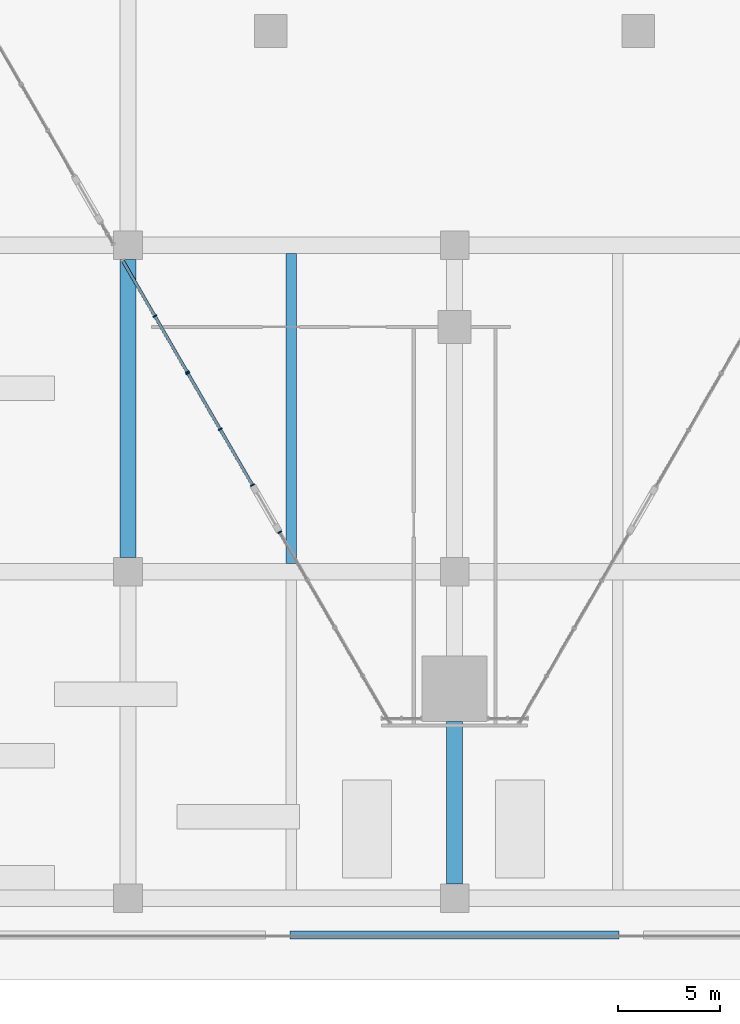
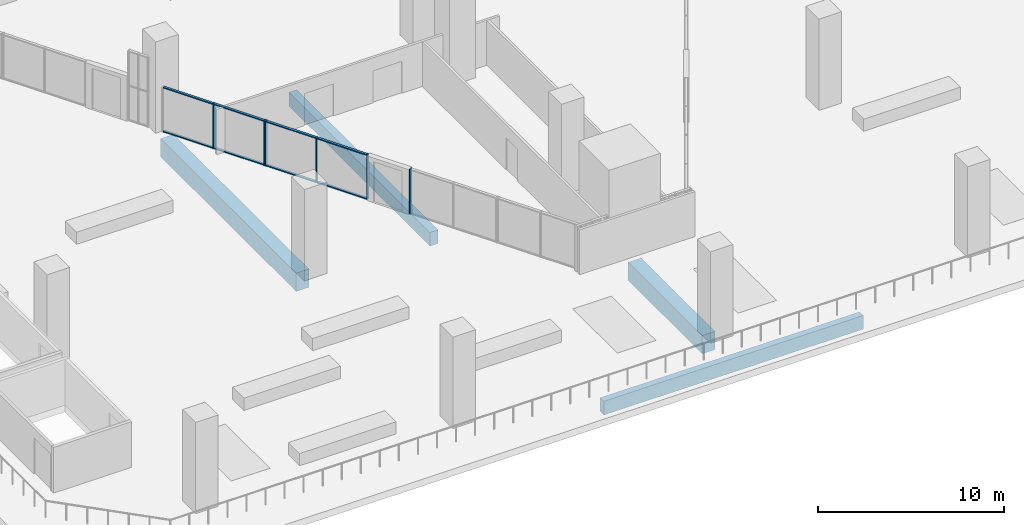
# One storey, part 2 of 25: 14 members, 4 beams, 3 elements without a shape of their own.
"""IFC4 building model written with IfcOpenShell, lengths in metres."""

import ifcopenshell
import ifcopenshell.guid

model = None  # the IFC model being written
_history = None  # IfcOwnerHistory: only IFC2X3 demands one
_inside = {}  # id of a spatial element -> (the spatial element, [elements in it])
_under = {}  # id of a project, library or spatial element -> (it, [spatial elements below it])
_declared = {}  # id of a project -> (the project, [libraries it declares])
_typed = {}  # id of a type object -> (the type object, [elements of that type])
_made_of = {}  # id of a material, layer set ... -> (it, [elements and type objects made of it])


def new_model(schema):
    """Start an empty IFC model of exactly this schema.

    Asked for "IFC4X3", IfcOpenShell would pick the latest addendum, in which some entities
    have other attributes; the version numbers below select the first issue.
    IFC2X3 requires an IfcOwnerHistory on every rooted entity: one is made here for all.
    """
    global model, _history
    if schema == "IFC4X3":
        model = ifcopenshell.file(schema_version=(4, 3, 0, 0))
    else:
        model = ifcopenshell.file(schema=schema)
    _inside.clear()
    _under.clear()
    _declared.clear()
    _typed.clear()
    _made_of.clear()
    _history = None
    if model.schema == "IFC2X3":
        org = make("IfcOrganization", Name="unknown")
        user = make(
            "IfcPersonAndOrganization",
            ThePerson=make("IfcPerson", FamilyName="unknown"),
            TheOrganization=org,
        )
        app = make(
            "IfcApplication",
            ApplicationDeveloper=org,
            Version="unknown",
            ApplicationFullName="unknown",
            ApplicationIdentifier="unknown",
        )
        _history = make(
            "IfcOwnerHistory",
            OwningUser=user,
            OwningApplication=app,
            ChangeAction="ADDED",
            CreationDate=0,
        )
    return model


def make(cls, **values):
    """One entity of the class cls with the attributes given. An attribute that is None is left unset."""
    return model.create_entity(
        cls, **{name: value for name, value in values.items() if value is not None}
    )


def rooted(cls, **values):
    """An entity with a GlobalId (a new one), such as an element, a storey or a relation."""
    return make(cls, GlobalId=ifcopenshell.guid.new(), OwnerHistory=_history, **values)


def si_unit(unit_type, name, prefix=None):
    """IfcSIUnit, for example si_unit("LENGTHUNIT", "METRE", prefix="MILLI")."""
    return make("IfcSIUnit", UnitType=unit_type, Prefix=prefix, Name=name)


def assignment(units):
    """IfcUnitAssignment: the units of a project."""
    return None if units is None else make("IfcUnitAssignment", Units=units)


def point(xyz):
    """IfcCartesianPoint."""
    return None if xyz is None else make("IfcCartesianPoint", Coordinates=xyz)


def direction(xyz):
    """IfcDirection."""
    return None if xyz is None else make("IfcDirection", DirectionRatios=xyz)


def frame(location, z_axis=None, x_axis=None):
    """IfcAxis2Placement3D, a coordinate frame: its origin and axes. An axis left out is left unset."""
    return make(
        "IfcAxis2Placement3D",
        Location=point(location),
        Axis=direction(z_axis),
        RefDirection=direction(x_axis),
    )


def frame_2d(location, x_axis=None):
    """IfcAxis2Placement2D, a coordinate frame in the plane: its origin and x axis."""
    return make(
        "IfcAxis2Placement2D", Location=point(location), RefDirection=direction(x_axis)
    )


def origin():
    """The frame at (0, 0, 0) with its axes left unset."""
    return frame((0.0, 0.0, 0.0))


def origin_2d():
    """The frame at (0, 0) in the plane with its x axis left unset."""
    return frame_2d((0.0, 0.0))


def place(relative_to, where):
    """IfcLocalPlacement: puts the frame where relative to a parent placement (None: the world)."""
    return make(
        "IfcLocalPlacement", PlacementRelTo=relative_to, RelativePlacement=where
    )


def context(
    kind, dimensions, precision=None, world=None, true_north=None, identifier=None
):
    """IfcGeometricRepresentationContext, for example the 3D "Model" context."""
    return make(
        "IfcGeometricRepresentationContext",
        ContextIdentifier=identifier,
        ContextType=kind,
        CoordinateSpaceDimension=dimensions,
        Precision=precision,
        WorldCoordinateSystem=world,
        TrueNorth=true_north,
    )


def subcontext(parent, identifier, kind, view, scale=None):
    """IfcGeometricRepresentationSubContext, for example "Body" below "Model"."""
    return make(
        "IfcGeometricRepresentationSubContext",
        ContextIdentifier=identifier,
        ContextType=kind,
        ParentContext=parent,
        TargetScale=scale,
        TargetView=view,
    )


def project(units=None, contexts=None):
    """IfcProject with its units and contexts."""
    return rooted(
        "IfcProject",
        Name="project",
        RepresentationContexts=contexts,
        UnitsInContext=assignment(units),
    )


def spatial(cls, under=None, at=None, **own):
    """A site, building, storey or space (cls), placed at a placement, below another one or the project."""
    s = rooted(cls, ObjectPlacement=at, **own)
    if under is not None:
        _under.setdefault(under.id(), (under, []))[1].append(s)
    return s


def profile(cls, at=None, kind="AREA", **sizes):
    """A parametric profile (cls). Its sizes go by their IFC names, for example OverallWidth=200.0."""
    return make(cls, ProfileType=kind, Position=at, **sizes)


def rectangle(**sizes):
    """IfcRectangleProfileDef."""
    return profile("IfcRectangleProfileDef", **sizes)


def extrude(swept, where, along, depth):
    """IfcExtrudedAreaSolid: the profile swept, set in the frame where, extruded along a direction by depth."""
    return make(
        "IfcExtrudedAreaSolid",
        SweptArea=swept,
        Position=where,
        ExtrudedDirection=direction(along),
        Depth=depth,
    )


def shape(context_of_items, identifier, shape_type, items):
    """IfcShapeRepresentation: the items that make up one representation, for example the "Body"."""
    return make(
        "IfcShapeRepresentation",
        ContextOfItems=context_of_items,
        RepresentationIdentifier=identifier,
        RepresentationType=shape_type,
        Items=items,
    )


def material(Name=None, Category=None):
    """IfcMaterial."""
    return make("IfcMaterial", Name=Name, Category=Category)


def material_profile(
    of_material, cross_section, Name=None, Category=None, Priority=None
):
    """IfcMaterialProfile: a cross section and its material."""
    return make(
        "IfcMaterialProfile",
        Name=Name,
        Material=of_material,
        Profile=cross_section,
        Priority=Priority,
        Category=Category,
    )


def profile_set(profiles, Name=None, composite=None):
    """IfcMaterialProfileSet."""
    return make(
        "IfcMaterialProfileSet",
        Name=Name,
        MaterialProfiles=profiles,
        CompositeProfile=composite,
    )


def made_of(thing, what):
    """Note that an element or type object is made of a material, layer set ...; save() writes the relation."""
    if what is not None:
        _made_of.setdefault(what.id(), (what, []))[1].append(thing)
    return thing


def type_object(cls, material=None, **own):
    """A type object (cls), such as IfcWallType, which elements share."""
    return made_of(rooted(cls, **own), material)


def element(
    cls,
    number,
    at=None,
    inside=None,
    cuts=None,
    type_object=None,
    material=None,
    context=None,
    identifier="Body",
    shape_type=None,
    held_by="IfcProductDefinitionShape",
    body=None,
    shapes=None,
    **own,
):
    """One element of the class cls, such as IfcWall. Its Tag is "e" and its number.

    at: its placement. inside: the storey or other place that contains it. cuts: it is an
    opening in that element (IfcRelVoidsElement). A single representation is given by context,
    identifier, shape_type and body (its items); several are given by shapes. held_by: the class
    of the entity that holds the representations. save() writes the other relations.
    """
    e = rooted(cls, Tag="e%d" % number, ObjectPlacement=at, **own)
    if body is not None:
        shapes = [shape(context, identifier, shape_type, body)]
    if shapes is not None:
        e.Representation = make(held_by, Representations=shapes)
    if inside is not None:
        _inside.setdefault(inside.id(), (inside, []))[1].append(e)
    if cuts is not None:
        rooted(
            "IfcRelVoidsElement", RelatingBuildingElement=cuts, RelatedOpeningElement=e
        )
    if type_object is not None:
        _typed.setdefault(type_object.id(), (type_object, []))[1].append(e)
    return made_of(e, material)


def aggregate(whole, parts):
    """IfcRelAggregates: a whole, such as a stair, and the parts it consists of."""
    return rooted("IfcRelAggregates", RelatingObject=whole, RelatedObjects=parts)


def save(model, path):
    """Write the relations noted so far, then the file.

    IfcRelAggregates (storeys below a building ...), IfcRelContainedInSpatialStructure (elements
    in a storey), IfcRelDefinesByType, IfcRelAssociatesMaterial and IfcRelDeclares: one each for
    every whole, place, type object, material and project.
    """
    for whole, parts in _under.values():
        aggregate(whole, parts)
    for where, things in _inside.values():
        rooted(
            "IfcRelContainedInSpatialStructure",
            RelatedElements=things,
            RelatingStructure=where,
        )
    for kind, things in _typed.values():
        rooted("IfcRelDefinesByType", RelatedObjects=things, RelatingType=kind)
    for what, things in _made_of.values():
        rooted("IfcRelAssociatesMaterial", RelatedObjects=things, RelatingMaterial=what)
    for by, libraries in _declared.values():
        rooted("IfcRelDeclares", RelatingContext=by, RelatedDefinitions=libraries)
    model.write(path)


model = new_model("IFC4")

# Units and contexts
model_context = context("Model", 3, precision=1e-05, world=origin(), true_north=direction((0.0, 1.0)))
body_context = subcontext(model_context, "Body", "Model", "MODEL_VIEW")
ifc_project = project(units=[si_unit("LENGTHUNIT", "METRE"), si_unit("AREAUNIT", "SQUARE_METRE"), si_unit("VOLUMEUNIT", "CUBIC_METRE"), si_unit("PLANEANGLEUNIT", "RADIAN"), si_unit("MASSUNIT", "GRAM", prefix="KILO")], contexts=[model_context])

# Site, building, storey
site_placement = place(None, origin())
site = spatial("IfcSite", under=ifc_project, at=site_placement, CompositionType="ELEMENT")
building_placement = place(site_placement, origin())
building = spatial("IfcBuilding", under=site, at=building_placement, Name="Calabash Gate Tower", CompositionType="ELEMENT")
storey_placement = place(building_placement, frame((0.0, 0.0, 40.0)))
storey = spatial("IfcBuildingStorey", under=building, at=storey_placement, Name="L05", CompositionType="ELEMENT", Elevation=40.0)

# Beams
ifc_material_1 = material(Name="Concrete C50/60", Category="concrete")
ifc_material_profile_1 = material_profile(ifc_material_1, rectangle(XDim=0.39990234375, YDim=0.89990234375, at=origin_2d()))
ifc_profile_set_1 = profile_set([ifc_material_profile_1], Name="Concrete C50/60")
beam_type_1 = type_object("IfcBeamType", Name="Edge beam RC 400x900 Concrete C50/60", PredefinedType="BEAM", material=ifc_profile_set_1)
beam_1_placement = place(storey_placement, frame((8.06689453125, -41.800048828125, -0.89990234375), z_axis=(-1.0, 0.0, 0.0), x_axis=(0.0, -1.0, 0.0)))
element("IfcBeam", 1, at=beam_1_placement, inside=storey, type_object=beam_type_1, Name="Edge beam L05 29", PredefinedType="BEAM", context=body_context, shape_type="SweptSolid", body=[
    extrude(rectangle(XDim=0.39990234375, YDim=0.89990234375, at=origin_2d()), origin(), (0.0, 0.0, 1.0), 16.1337890625),
])
ifc_material_2 = material(Name="Concrete C50/60", Category="concrete")
ifc_material_profile_2 = material_profile(ifc_material_2, rectangle(XDim=0.5, YDim=0.89990234375, at=origin_2d()))
ifc_profile_set_2 = profile_set([ifc_material_profile_2], Name="Concrete C50/60")
beam_type_2 = type_object("IfcBeamType", Name="Floor beam RC 500x900 Concrete C50/60", PredefinedType="BEAM", material=ifc_profile_set_2)
beam_2_placement = place(storey_placement, frame((-8.0, -23.60009765625, -0.89990234375), z_axis=(0.0, 1.0, 0.0), x_axis=(-1.0, 0.0, 0.0)))
element("IfcBeam", 2, at=beam_2_placement, inside=storey, type_object=beam_type_2, Name="Floor beam L05 7", PredefinedType="BEAM", context=body_context, shape_type="SweptSolid", body=[
    extrude(rectangle(XDim=0.5, YDim=0.89990234375, at=origin_2d()), origin(), (0.0, 0.0, 1.0), 15.2001953125),
])
ifc_material_3 = material(Name="Concrete C50/60", Category="concrete")
ifc_material_profile_3 = material_profile(ifc_material_3, rectangle(XDim=0.800048828125, YDim=1.199951171875, at=origin_2d()))
ifc_profile_set_3 = profile_set([ifc_material_profile_3], Name="Concrete C50/60")
beam_type_3 = type_object("IfcBeamType", Name="Grid girder RC 800x1200 Concrete C50/60", PredefinedType="BEAM", material=ifc_profile_set_3)
beam_3_placement = place(storey_placement, frame((-16.0, -23.300048828125, -1.050048828125), z_axis=(0.0, 1.0, 0.0), x_axis=(-1.0, 0.0, 0.0)))
element("IfcBeam", 3, at=beam_3_placement, inside=storey, type_object=beam_type_3, Name="Grid girder L05 6", PredefinedType="BEAM", context=body_context, shape_type="SweptSolid", body=[
    extrude(rectangle(XDim=0.800048828125, YDim=1.199951171875, at=origin_2d()), origin(), (0.0, 0.0, 1.0), 14.60009765625),
])
beam_4_placement = place(storey_placement, frame((0.0, -39.300048828125, -1.050048828125), z_axis=(0.0, 1.0, 0.0), x_axis=(-1.0, 0.0, 0.0)))
element("IfcBeam", 4, at=beam_4_placement, inside=storey, type_object=beam_type_3, Name="Grid girder L05 9", PredefinedType="BEAM", context=body_context, shape_type="SweptSolid", body=[
    extrude(rectangle(XDim=0.800048828125, YDim=1.199951171875, at=origin_2d()), origin(), (0.0, 0.0, 1.0), 7.967041015625),
])

# Curtain wall, members
ifc_material_4 = material(Name="Anodised aluminium frame, bronze finish, clear laminated impact-rated glazing", Category="aluminium")
curtain_wall_type = type_object("IfcCurtainWallType", Name="Curtain wall CWF podium shopfront", PredefinedType="NOTDEFINED", material=ifc_material_4)
curtain_wall_1_placement = place(storey_placement, origin())
curtain_wall_1 = element("IfcCurtainWall", 5, at=curtain_wall_1_placement, inside=storey, type_object=curtain_wall_type, Name="Curtain wall CWF L05 lobby 0.2.0", PredefinedType="NOTDEFINED")
ifc_material_5 = material(Name="Anodised aluminium frame, bronze finish", Category="aluminium")
ifc_material_profile_4 = material_profile(ifc_material_5, rectangle(XDim=0.199951171875, YDim=0.06494140625, at=origin_2d()))
ifc_profile_set_4 = profile_set([ifc_material_profile_4], Name="Anodised aluminium frame, bronze finish")
member_type_1 = type_object("IfcMemberType", Name="Mullion CWF 65x200", PredefinedType="MULLION", material=ifc_profile_set_4)
member_1_placement = place(storey_placement, frame((-14.684326171875, -11.47119140625, 0.0), z_axis=(0.0, 0.0, 1.0), x_axis=(0.866025353039, 0.500000087894, 0.0)))
member_1 = element("IfcMember", 6, at=member_1_placement, type_object=member_type_1, Name="CWF mullion 2", PredefinedType="MULLION", context=body_context, shape_type="SweptSolid", body=[
    extrude(rectangle(XDim=0.199951171875, YDim=0.06494140625, at=origin_2d()), origin(), (0.0, 0.0, 1.0), 2.949951171875),
])
member_2_placement = place(storey_placement, frame((-13.1015625, -14.21240234375, 0.0), z_axis=(0.0, 0.0, 1.0), x_axis=(0.866025353039, 0.500000087894, 0.0)))
member_2 = element("IfcMember", 7, at=member_2_placement, type_object=member_type_1, Name="CWF mullion 3", PredefinedType="MULLION", context=body_context, shape_type="SweptSolid", body=[
    extrude(rectangle(XDim=0.199951171875, YDim=0.06494140625, at=origin_2d()), origin(), (0.0, 0.0, 1.0), 2.949951171875),
])

curtain_wall_2_placement = place(storey_placement, origin())
curtain_wall_2 = element("IfcCurtainWall", 8, at=curtain_wall_2_placement, inside=storey, type_object=curtain_wall_type, Name="Curtain wall CWF L05 lobby 0.2.1", PredefinedType="NOTDEFINED")
member_3_placement = place(storey_placement, frame((-13.069091796875, -14.268798828125, 0.0), z_axis=(0.0, 0.0, 1.0), x_axis=(0.866025420749, 0.499999970616, 0.0)))
member_3 = element("IfcMember", 9, at=member_3_placement, type_object=member_type_1, Name="CWF mullion 1", PredefinedType="MULLION", context=body_context, shape_type="SweptSolid", body=[
    extrude(rectangle(XDim=0.199951171875, YDim=0.06494140625, at=origin_2d()), origin(), (0.0, 0.0, 1.0), 2.949951171875),
])
member_4_placement = place(storey_placement, frame((-11.486572265625, -17.009765625, 0.0), z_axis=(0.0, 0.0, 1.0), x_axis=(0.866025420749, 0.499999970616, 0.0)))
member_4 = element("IfcMember", 10, at=member_4_placement, type_object=member_type_1, Name="CWF mullion 2", PredefinedType="MULLION", context=body_context, shape_type="SweptSolid", body=[
    extrude(rectangle(XDim=0.199951171875, YDim=0.06494140625, at=origin_2d()), origin(), (0.0, 0.0, 1.0), 2.949951171875),
])
member_5_placement = place(storey_placement, frame((-9.904052734375, -19.7509765625, 0.0), z_axis=(0.0, 0.0, 1.0), x_axis=(0.866025420749, 0.499999970616, 0.0)))
member_5 = element("IfcMember", 11, at=member_5_placement, type_object=member_type_1, Name="CWF mullion 3", PredefinedType="MULLION", context=body_context, shape_type="SweptSolid", body=[
    extrude(rectangle(XDim=0.199951171875, YDim=0.06494140625, at=origin_2d()), origin(), (0.0, 0.0, 1.0), 2.949951171875),
])

# Curtain wall, member
curtain_wall_3_placement = place(storey_placement, origin())
curtain_wall_3 = element("IfcCurtainWall", 12, at=curtain_wall_3_placement, inside=storey, type_object=curtain_wall_type, Name="Curtain wall CWF L05 lobby 0.3.0", PredefinedType="NOTDEFINED")
member_6_placement = place(storey_placement, frame((-8.571533203125, -22.058837890625, 0.0), z_axis=(0.0, 0.0, 1.0), x_axis=(0.866025395773, 0.500000013876, 0.0)))
member_6 = element("IfcMember", 13, at=member_6_placement, type_object=member_type_1, Name="CWF mullion 1", PredefinedType="MULLION", context=body_context, shape_type="SweptSolid", body=[
    extrude(rectangle(XDim=0.199951171875, YDim=0.06494140625, at=origin_2d()), origin(), (0.0, 0.0, 1.0), 2.949951171875),
])
aggregate(curtain_wall_3, [member_6])

# Member
ifc_material_6 = material(Name="Anodised aluminium frame, bronze finish", Category="aluminium")
ifc_material_profile_5 = material_profile(ifc_material_6, rectangle(XDim=0.14990234375, YDim=0.06494140625, at=origin_2d()))
ifc_profile_set_5 = profile_set([ifc_material_profile_5], Name="Anodised aluminium frame, bronze finish")
member_type_2 = type_object("IfcMemberType", Name="Transom CWF 65x150", PredefinedType="USERDEFINED", material=ifc_profile_set_5)
member_7_placement = place(storey_placement, frame((-16.25048828125, -8.75830078125, 0.032470703125), z_axis=(0.49999285859, -0.86602952684, 0.0), x_axis=(0.86602952684, 0.49999285859, 0.0)))
member_7 = element("IfcMember", 14, at=member_7_placement, type_object=member_type_2, Name="CWF transom 1.1", ObjectType="TRANSOM", PredefinedType="USERDEFINED", context=body_context, shape_type="SweptSolid", body=[
    extrude(rectangle(XDim=0.14990234375, YDim=0.06494140625, at=origin_2d()), origin(), (0.0, 0.0, 1.0), 3.10009765625),
])

member_8_placement = place(storey_placement, frame((-16.25048828125, -8.75830078125, 2.91748046875), z_axis=(0.49999285859, -0.86602952684, 0.0), x_axis=(0.86602952684, 0.49999285859, 0.0)))
member_8 = element("IfcMember", 15, at=member_8_placement, type_object=member_type_2, Name="CWF transom 1.2", ObjectType="TRANSOM", PredefinedType="USERDEFINED", context=body_context, shape_type="SweptSolid", body=[
    extrude(rectangle(XDim=0.14990234375, YDim=0.06494140625, at=origin_2d()), origin(), (0.0, 0.0, 1.0), 3.10009765625),
])

member_9_placement = place(storey_placement, frame((-14.66796875, -11.49951171875, 0.032470703125), z_axis=(0.49999285859, -0.86602952684, 0.0), x_axis=(0.86602952684, 0.49999285859, 0.0)))
member_9 = element("IfcMember", 16, at=member_9_placement, type_object=member_type_2, Name="CWF transom 2.1", ObjectType="TRANSOM", PredefinedType="USERDEFINED", context=body_context, shape_type="SweptSolid", body=[
    extrude(rectangle(XDim=0.14990234375, YDim=0.06494140625, at=origin_2d()), origin(), (0.0, 0.0, 1.0), 3.10009765625),
])

member_10_placement = place(storey_placement, frame((-14.66796875, -11.49951171875, 2.91748046875), z_axis=(0.49999285859, -0.86602952684, 0.0), x_axis=(0.86602952684, 0.49999285859, 0.0)))
member_10 = element("IfcMember", 17, at=member_10_placement, type_object=member_type_2, Name="CWF transom 2.2", ObjectType="TRANSOM", PredefinedType="USERDEFINED", context=body_context, shape_type="SweptSolid", body=[
    extrude(rectangle(XDim=0.14990234375, YDim=0.06494140625, at=origin_2d()), origin(), (0.0, 0.0, 1.0), 3.10009765625),
])

aggregate(curtain_wall_1, [member_1, member_2, member_7, member_8, member_9, member_10])

member_11_placement = place(storey_placement, frame((-13.052978515625, -14.296875, 0.032470703125), z_axis=(0.49999285859, -0.86602952684, 0.0), x_axis=(0.86602952684, 0.49999285859, 0.0)))
member_11 = element("IfcMember", 18, at=member_11_placement, type_object=member_type_2, Name="CWF transom 1.1", ObjectType="TRANSOM", PredefinedType="USERDEFINED", context=body_context, shape_type="SweptSolid", body=[
    extrude(rectangle(XDim=0.14990234375, YDim=0.06494140625, at=origin_2d()), origin(), (0.0, 0.0, 1.0), 3.10009765625),
])

member_12_placement = place(storey_placement, frame((-13.052978515625, -14.296875, 2.91748046875), z_axis=(0.49999285859, -0.86602952684, 0.0), x_axis=(0.86602952684, 0.49999285859, 0.0)))
member_12 = element("IfcMember", 19, at=member_12_placement, type_object=member_type_2, Name="CWF transom 1.2", ObjectType="TRANSOM", PredefinedType="USERDEFINED", context=body_context, shape_type="SweptSolid", body=[
    extrude(rectangle(XDim=0.14990234375, YDim=0.06494140625, at=origin_2d()), origin(), (0.0, 0.0, 1.0), 3.10009765625),
])

member_13_placement = place(storey_placement, frame((-11.47021484375, -17.037841796875, 0.032470703125), z_axis=(0.499958760481, -0.866049212123, 0.0), x_axis=(0.866049212123, 0.499958760481, 0.0)))
member_13 = element("IfcMember", 20, at=member_13_placement, type_object=member_type_2, Name="CWF transom 2.1", ObjectType="TRANSOM", PredefinedType="USERDEFINED", context=body_context, shape_type="SweptSolid", body=[
    extrude(rectangle(XDim=0.14990234375, YDim=0.06494140625, at=origin_2d()), origin(), (0.0, 0.0, 1.0), 3.100341796875),
])

member_14_placement = place(storey_placement, frame((-11.47021484375, -17.037841796875, 2.91748046875), z_axis=(0.499958760481, -0.866049212123, 0.0), x_axis=(0.866049212123, 0.499958760481, 0.0)))
member_14 = element("IfcMember", 21, at=member_14_placement, type_object=member_type_2, Name="CWF transom 2.2", ObjectType="TRANSOM", PredefinedType="USERDEFINED", context=body_context, shape_type="SweptSolid", body=[
    extrude(rectangle(XDim=0.14990234375, YDim=0.06494140625, at=origin_2d()), origin(), (0.0, 0.0, 1.0), 3.100341796875),
])

aggregate(curtain_wall_2, [member_3, member_4, member_5, member_11, member_12, member_13, member_14])

save(model, "model.ifc")
